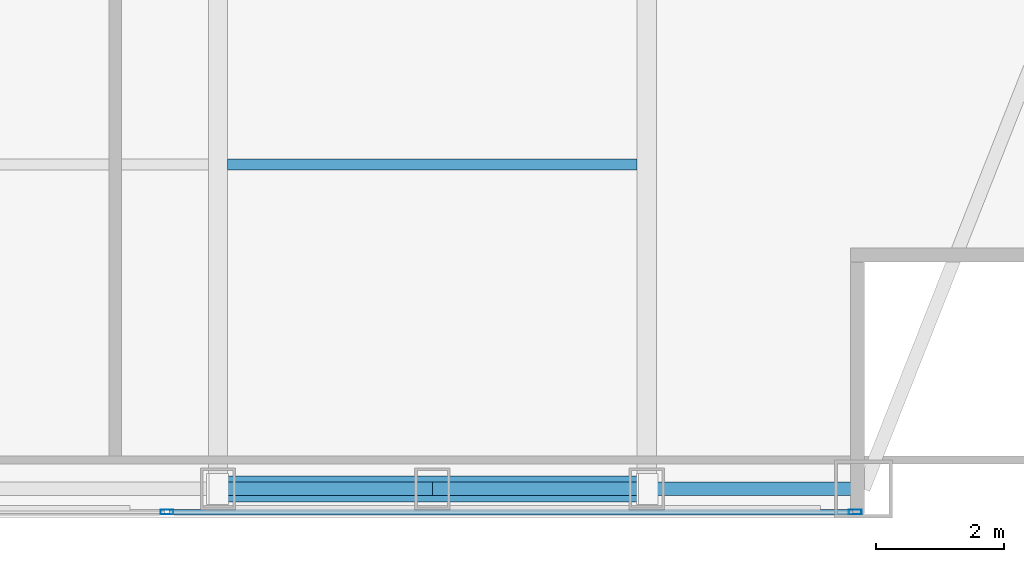
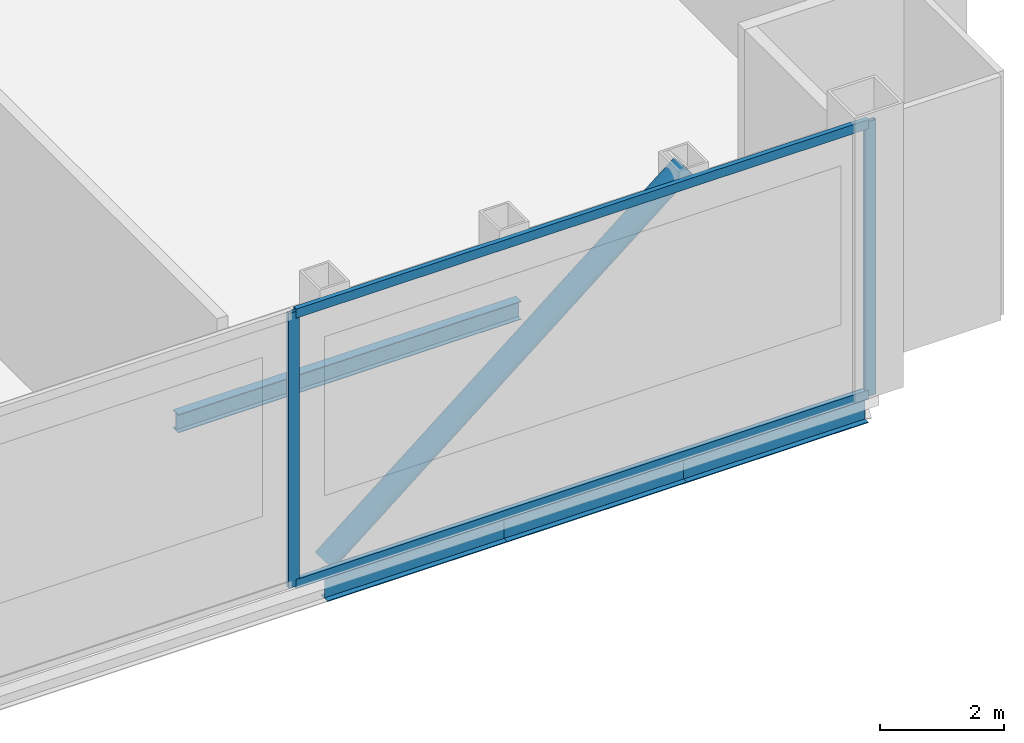
# One storey, part 10 of 22: 5 members, 4 beams, 1 element without a shape of its own.
"""IFC4 building model written with IfcOpenShell, lengths in metres."""

from ifc_helpers import new_model, si_unit, direction, frame, origin, origin_2d, place, context, subcontext, project, spatial, hollow_rectangle, hollow_circle, i_section, extrude, material, material_profile, profile_set, type_object, element, aggregate, save


model = new_model("IFC4")

# Units and contexts
model_context = context("Model", 3, precision=1e-05, world=origin(), true_north=direction((0.0, 1.0)))
body_context = subcontext(model_context, "Body", "Model", "MODEL_VIEW")
ifc_project = project(units=[si_unit("LENGTHUNIT", "METRE"), si_unit("AREAUNIT", "SQUARE_METRE"), si_unit("VOLUMEUNIT", "CUBIC_METRE"), si_unit("PLANEANGLEUNIT", "RADIAN"), si_unit("MASSUNIT", "GRAM", prefix="KILO")], contexts=[model_context])

# Site, building, storey
site_placement = place(None, origin())
site = spatial("IfcSite", under=ifc_project, at=site_placement, CompositionType="ELEMENT")
building_placement = place(site_placement, origin())
building = spatial("IfcBuilding", under=site, at=building_placement, Name="Khoronbel Lancet Exchange", CompositionType="ELEMENT")
storey_placement = place(building_placement, frame((0.0, 0.0, 361.800048828125)))
storey = spatial("IfcBuildingStorey", under=building, at=storey_placement, Name="L93", CompositionType="ELEMENT", Elevation=361.800048828125)

# Beams
ifc_material_1 = material(Name="Steel S355", Category="steel")
ifc_material_profile_1 = material_profile(ifc_material_1, i_section(OverallWidth=0.169921875, OverallDepth=0.360107421875, WebThickness=0.008056640625, FlangeThickness=0.0126953125, at=origin_2d()), Name="IPE 360")
ifc_profile_set_1 = profile_set([ifc_material_profile_1], Name="Steel S355")
beam_type_1 = type_object("IfcBeamType", Name="BM-BJ6", PredefinedType="JOIST", material=ifc_profile_set_1)
beam_1_placement = place(storey_placement, frame((48.14990234375, 15.199951171875, -0.380126953125), z_axis=(1.0, 0.0, 0.0), x_axis=(0.0, 1.0, 0.0)))
element("IfcBeam", 1, at=beam_1_placement, inside=storey, type_object=beam_type_1, Name="Level L93 secondary composite joist J03", PredefinedType="JOIST", context=body_context, shape_type="SweptSolid", body=[
    extrude(i_section(OverallWidth=0.169921875, OverallDepth=0.360107421875, WebThickness=0.008056640625, FlangeThickness=0.0126953125, at=origin_2d()), origin(), (0.0, 0.0, 1.0), 6.375),
])
ifc_material_profile_2 = material_profile(ifc_material_1, i_section(OverallWidth=0.2099609375, OverallDepth=0.550048828125, WebThickness=0.010986328125, FlangeThickness=0.01708984375, at=origin_2d()), Name="IPE 550")
ifc_profile_set_2 = profile_set([ifc_material_profile_2], Name="Steel S355")
beam_type_2 = type_object("IfcBeamType", Name="BM-BSP3", PredefinedType="SPANDREL", material=ifc_profile_set_2)
beam_2_placement = place(storey_placement, frame((48.0, 10.14990234375, -0.47509765625), z_axis=(1.0, 0.0, 0.0), x_axis=(0.0, 1.0, 0.0)))
element("IfcBeam", 2, at=beam_2_placement, inside=storey, type_object=beam_type_2, Name="Level L93 perimeter spandrel beam SP05", PredefinedType="SPANDREL", context=body_context, shape_type="SweptSolid", body=[
    extrude(i_section(OverallWidth=0.2099609375, OverallDepth=0.550048828125, WebThickness=0.010986328125, FlangeThickness=0.01708984375, at=origin_2d()), origin(), (0.0, 0.0, 1.0), 3.33740234375),
])
beam_3_placement = place(storey_placement, frame((51.33740234375, 10.14990234375, -0.47509765625), z_axis=(1.0, 0.0, 0.0), x_axis=(0.0, 1.0, 0.0)))
element("IfcBeam", 3, at=beam_3_placement, inside=storey, type_object=beam_type_2, Name="Level L93 perimeter spandrel beam SP06", PredefinedType="SPANDREL", context=body_context, shape_type="SweptSolid", body=[
    extrude(i_section(OverallWidth=0.2099609375, OverallDepth=0.550048828125, WebThickness=0.010986328125, FlangeThickness=0.01708984375, at=origin_2d()), origin(), (0.0, 0.0, 1.0), 3.337646484375),
])
beam_4_placement = place(storey_placement, frame((54.675048828125, 10.14990234375, -0.47509765625), z_axis=(1.0, 0.0, 0.0), x_axis=(0.0, 1.0, 0.0)))
element("IfcBeam", 4, at=beam_4_placement, inside=storey, type_object=beam_type_2, Name="Level L93 perimeter spandrel beam SP07", PredefinedType="SPANDREL", context=body_context, shape_type="SweptSolid", body=[
    extrude(i_section(OverallWidth=0.2099609375, OverallDepth=0.550048828125, WebThickness=0.010986328125, FlangeThickness=0.01708984375, at=origin_2d()), origin(), (0.0, 0.0, 1.0), 3.375),
])

# Curtain wall, members
ifc_material_2 = material(Name="Low-E Solar Control Insulating Glass", Category="glass")
curtain_wall_type = type_object("IfcCurtainWallType", Name="CW-6", PredefinedType="NOTDEFINED", material=ifc_material_2)
curtain_wall_placement = place(storey_placement, origin())
curtain_wall = element("IfcCurtainWall", 5, at=curtain_wall_placement, inside=storey, type_object=curtain_wall_type, Name="Unitised curtain wall CW-L93-E12", PredefinedType="NOTDEFINED")
ifc_material_3 = material(Name="Bronze-Anodised Aluminium 6063-T6", Category="aluminium")
ifc_material_profile_3 = material_profile(ifc_material_3, hollow_rectangle(XDim=0.074951171875, YDim=0.199951171875, WallThickness=0.0048828125, at=origin_2d()), Name="ALU MULLION 75x200")
ifc_profile_set_3 = profile_set([ifc_material_profile_3], Name="Bronze-Anodised Aluminium 6063-T6")
member_type_1 = type_object("IfcMemberType", Name="MEM-CWM2", PredefinedType="MULLION", material=ifc_profile_set_3)
member_1_placement = place(storey_placement, frame((57.922607421875, 9.7900390625, 0.0), z_axis=(0.0, 0.0, 1.0), x_axis=(0.0, -1.0, 0.0)))
member_1 = element("IfcMember", 6, at=member_1_placement, type_object=member_type_1, Name="CW6 mullion 1", PredefinedType="MULLION", context=body_context, shape_type="SweptSolid", body=[
    extrude(hollow_rectangle(XDim=0.074951171875, YDim=0.199951171875, WallThickness=0.0048828125, at=origin_2d()), origin(), (0.0, 0.0, 1.0), 5.39990234375),
])
member_2_placement = place(storey_placement, frame((47.205078125, 9.7900390625, 0.0), z_axis=(0.0, 0.0, 1.0), x_axis=(0.0, -1.0, 0.0)))
member_2 = element("IfcMember", 7, at=member_2_placement, type_object=member_type_1, Name="CW6 mullion 2", PredefinedType="MULLION", context=body_context, shape_type="SweptSolid", body=[
    extrude(hollow_rectangle(XDim=0.074951171875, YDim=0.199951171875, WallThickness=0.0048828125, at=origin_2d()), origin(), (0.0, 0.0, 1.0), 5.39990234375),
])
ifc_material_profile_4 = material_profile(ifc_material_3, hollow_rectangle(XDim=0.0849609375, YDim=0.179931640625, WallThickness=0.0048828125, at=origin_2d()), Name="ALU TRANSOM 85x180")
ifc_profile_set_4 = profile_set([ifc_material_profile_4], Name="Bronze-Anodised Aluminium 6063-T6")
member_type_2 = type_object("IfcMemberType", Name="MEM-CWT1", PredefinedType="USERDEFINED", material=ifc_profile_set_4)
member_3_placement = place(storey_placement, frame((57.885009765625, 9.7900390625, 0.04248046875), z_axis=(-1.0, 0.0, 0.0), x_axis=(0.0, -1.0, 0.0)))
member_3 = element("IfcMember", 8, at=member_3_placement, type_object=member_type_2, Name="CW6 transom 1.1", ObjectType="TRANSOM", PredefinedType="USERDEFINED", context=body_context, shape_type="SweptSolid", body=[
    extrude(hollow_rectangle(XDim=0.0849609375, YDim=0.179931640625, WallThickness=0.0048828125, at=origin_2d()), origin(), (0.0, 0.0, 1.0), 10.642578125),
])
member_4_placement = place(storey_placement, frame((57.885009765625, 9.7900390625, 5.357421875), z_axis=(-1.0, 0.0, 0.0), x_axis=(0.0, -1.0, 0.0)))
member_4 = element("IfcMember", 9, at=member_4_placement, type_object=member_type_2, Name="CW6 transom 1.2", ObjectType="TRANSOM", PredefinedType="USERDEFINED", context=body_context, shape_type="SweptSolid", body=[
    extrude(hollow_rectangle(XDim=0.0849609375, YDim=0.179931640625, WallThickness=0.0048828125, at=origin_2d()), origin(), (0.0, 0.0, 1.0), 10.642578125),
])
aggregate(curtain_wall, [member_1, member_2, member_3, member_4])

# Member
ifc_material_profile_5 = material_profile(ifc_material_1, hollow_circle(Radius=0.203125, WallThickness=0.02001953125, at=origin_2d()), Name="CHS 406.4x20")
ifc_profile_set_5 = profile_set([ifc_material_profile_5], Name="Steel S355")
member_type_3 = type_object("IfcMemberType", Name="MEM-STR2", PredefinedType="STRUT", material=ifc_profile_set_5)
member_5_placement = place(storey_placement, frame((48.0, 10.14990234375, 0.0), z_axis=(0.77631632481, 0.0, 0.630343528429), x_axis=(0.0, 1.0, 0.0)))
element("IfcMember", 10, at=member_5_placement, inside=storey, type_object=member_type_3, Name="CROWN FRAME diagonal ring brace L93-S2", PredefinedType="STRUT", context=body_context, shape_type="SweptSolid", body=[
    extrude(hollow_circle(Radius=0.203125, WallThickness=0.02001953125, at=origin_2d()), origin(), (0.0, 0.0, 1.0), 8.598388671875),
])

save(model, "model.ifc")
